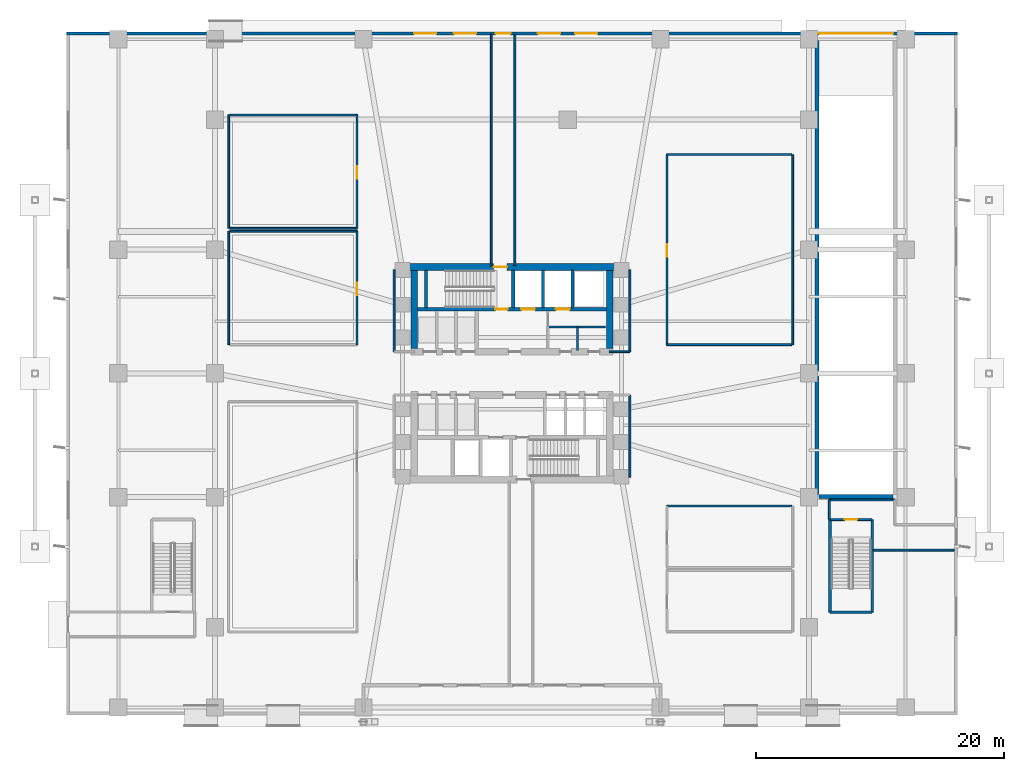
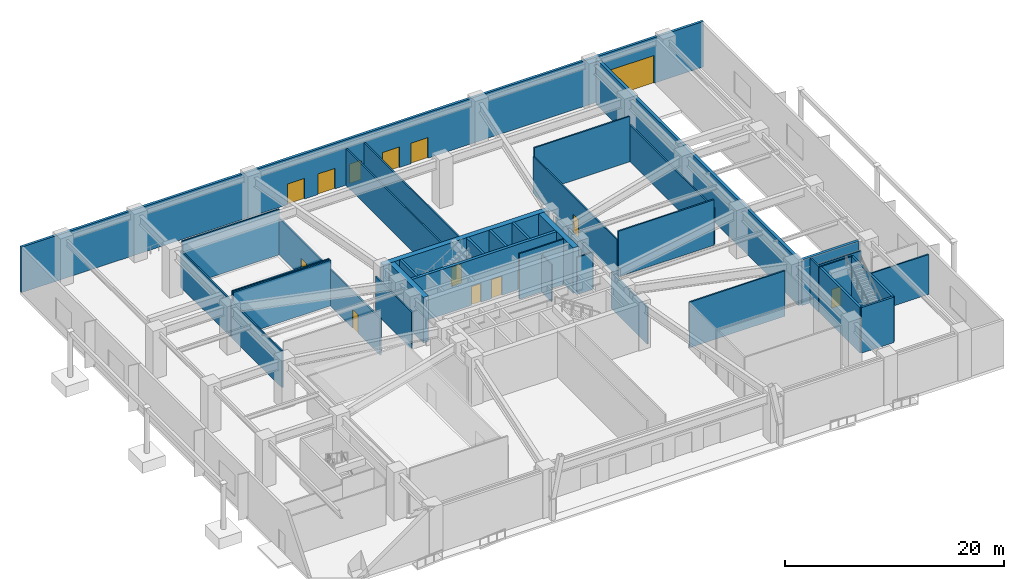
# One storey, part 13 of 20: 38 walls, 14 doors, 14 openings.
"""IFC4 building model written with IfcOpenShell, lengths in metres."""

import ifcopenshell
import ifcopenshell.guid

model = None  # the IFC model being written
_history = None  # IfcOwnerHistory: only IFC2X3 demands one
_inside = {}  # id of a spatial element -> (the spatial element, [elements in it])
_under = {}  # id of a project, library or spatial element -> (it, [spatial elements below it])
_declared = {}  # id of a project -> (the project, [libraries it declares])
_typed = {}  # id of a type object -> (the type object, [elements of that type])
_made_of = {}  # id of a material, layer set ... -> (it, [elements and type objects made of it])


def new_model(schema):
    """Start an empty IFC model of exactly this schema.

    Asked for "IFC4X3", IfcOpenShell would pick the latest addendum, in which some entities
    have other attributes; the version numbers below select the first issue.
    IFC2X3 requires an IfcOwnerHistory on every rooted entity: one is made here for all.
    """
    global model, _history
    if schema == "IFC4X3":
        model = ifcopenshell.file(schema_version=(4, 3, 0, 0))
    else:
        model = ifcopenshell.file(schema=schema)
    _inside.clear()
    _under.clear()
    _declared.clear()
    _typed.clear()
    _made_of.clear()
    _history = None
    if model.schema == "IFC2X3":
        org = make("IfcOrganization", Name="unknown")
        user = make(
            "IfcPersonAndOrganization",
            ThePerson=make("IfcPerson", FamilyName="unknown"),
            TheOrganization=org,
        )
        app = make(
            "IfcApplication",
            ApplicationDeveloper=org,
            Version="unknown",
            ApplicationFullName="unknown",
            ApplicationIdentifier="unknown",
        )
        _history = make(
            "IfcOwnerHistory",
            OwningUser=user,
            OwningApplication=app,
            ChangeAction="ADDED",
            CreationDate=0,
        )
    return model


def make(cls, **values):
    """One entity of the class cls with the attributes given. An attribute that is None is left unset."""
    return model.create_entity(
        cls, **{name: value for name, value in values.items() if value is not None}
    )


def rooted(cls, **values):
    """An entity with a GlobalId (a new one), such as an element, a storey or a relation."""
    return make(cls, GlobalId=ifcopenshell.guid.new(), OwnerHistory=_history, **values)


def si_unit(unit_type, name, prefix=None):
    """IfcSIUnit, for example si_unit("LENGTHUNIT", "METRE", prefix="MILLI")."""
    return make("IfcSIUnit", UnitType=unit_type, Prefix=prefix, Name=name)


def assignment(units):
    """IfcUnitAssignment: the units of a project."""
    return None if units is None else make("IfcUnitAssignment", Units=units)


def point(xyz):
    """IfcCartesianPoint."""
    return None if xyz is None else make("IfcCartesianPoint", Coordinates=xyz)


def direction(xyz):
    """IfcDirection."""
    return None if xyz is None else make("IfcDirection", DirectionRatios=xyz)


def frame(location, z_axis=None, x_axis=None):
    """IfcAxis2Placement3D, a coordinate frame: its origin and axes. An axis left out is left unset."""
    return make(
        "IfcAxis2Placement3D",
        Location=point(location),
        Axis=direction(z_axis),
        RefDirection=direction(x_axis),
    )


def frame_2d(location, x_axis=None):
    """IfcAxis2Placement2D, a coordinate frame in the plane: its origin and x axis."""
    return make(
        "IfcAxis2Placement2D", Location=point(location), RefDirection=direction(x_axis)
    )


def origin():
    """The frame at (0, 0, 0) with its axes left unset."""
    return frame((0.0, 0.0, 0.0))


def place(relative_to, where):
    """IfcLocalPlacement: puts the frame where relative to a parent placement (None: the world)."""
    return make(
        "IfcLocalPlacement", PlacementRelTo=relative_to, RelativePlacement=where
    )


def context(
    kind, dimensions, precision=None, world=None, true_north=None, identifier=None
):
    """IfcGeometricRepresentationContext, for example the 3D "Model" context."""
    return make(
        "IfcGeometricRepresentationContext",
        ContextIdentifier=identifier,
        ContextType=kind,
        CoordinateSpaceDimension=dimensions,
        Precision=precision,
        WorldCoordinateSystem=world,
        TrueNorth=true_north,
    )


def subcontext(parent, identifier, kind, view, scale=None):
    """IfcGeometricRepresentationSubContext, for example "Body" below "Model"."""
    return make(
        "IfcGeometricRepresentationSubContext",
        ContextIdentifier=identifier,
        ContextType=kind,
        ParentContext=parent,
        TargetScale=scale,
        TargetView=view,
    )


def project(units=None, contexts=None):
    """IfcProject with its units and contexts."""
    return rooted(
        "IfcProject",
        Name="project",
        RepresentationContexts=contexts,
        UnitsInContext=assignment(units),
    )


def spatial(cls, under=None, at=None, **own):
    """A site, building, storey or space (cls), placed at a placement, below another one or the project."""
    s = rooted(cls, ObjectPlacement=at, **own)
    if under is not None:
        _under.setdefault(under.id(), (under, []))[1].append(s)
    return s


def profile(cls, at=None, kind="AREA", **sizes):
    """A parametric profile (cls). Its sizes go by their IFC names, for example OverallWidth=200.0."""
    return make(cls, ProfileType=kind, Position=at, **sizes)


def rectangle(**sizes):
    """IfcRectangleProfileDef."""
    return profile("IfcRectangleProfileDef", **sizes)


def extrude(swept, where, along, depth):
    """IfcExtrudedAreaSolid: the profile swept, set in the frame where, extruded along a direction by depth."""
    return make(
        "IfcExtrudedAreaSolid",
        SweptArea=swept,
        Position=where,
        ExtrudedDirection=direction(along),
        Depth=depth,
    )


def shape(context_of_items, identifier, shape_type, items):
    """IfcShapeRepresentation: the items that make up one representation, for example the "Body"."""
    return make(
        "IfcShapeRepresentation",
        ContextOfItems=context_of_items,
        RepresentationIdentifier=identifier,
        RepresentationType=shape_type,
        Items=items,
    )


def material(Name=None, Category=None):
    """IfcMaterial."""
    return make("IfcMaterial", Name=Name, Category=Category)


def layer(
    of_material, thickness, ventilated=None, Name=None, Category=None, Priority=None
):
    """IfcMaterialLayer: one layer of a wall or slab, of a material (None: an air gap)."""
    return make(
        "IfcMaterialLayer",
        Material=of_material,
        LayerThickness=thickness,
        IsVentilated=ventilated,
        Name=Name,
        Category=Category,
        Priority=Priority,
    )


def layer_set(layers, Name=None):
    """IfcMaterialLayerSet."""
    return make("IfcMaterialLayerSet", MaterialLayers=layers, LayerSetName=Name)


def made_of(thing, what):
    """Note that an element or type object is made of a material, layer set ...; save() writes the relation."""
    if what is not None:
        _made_of.setdefault(what.id(), (what, []))[1].append(thing)
    return thing


def type_object(cls, material=None, **own):
    """A type object (cls), such as IfcWallType, which elements share."""
    return made_of(rooted(cls, **own), material)


def element(
    cls,
    number,
    at=None,
    inside=None,
    cuts=None,
    type_object=None,
    material=None,
    context=None,
    identifier="Body",
    shape_type=None,
    held_by="IfcProductDefinitionShape",
    body=None,
    shapes=None,
    **own,
):
    """One element of the class cls, such as IfcWall. Its Tag is "e" and its number.

    at: its placement. inside: the storey or other place that contains it. cuts: it is an
    opening in that element (IfcRelVoidsElement). A single representation is given by context,
    identifier, shape_type and body (its items); several are given by shapes. held_by: the class
    of the entity that holds the representations. save() writes the other relations.
    """
    e = rooted(cls, Tag="e%d" % number, ObjectPlacement=at, **own)
    if body is not None:
        shapes = [shape(context, identifier, shape_type, body)]
    if shapes is not None:
        e.Representation = make(held_by, Representations=shapes)
    if inside is not None:
        _inside.setdefault(inside.id(), (inside, []))[1].append(e)
    if cuts is not None:
        rooted(
            "IfcRelVoidsElement", RelatingBuildingElement=cuts, RelatedOpeningElement=e
        )
    if type_object is not None:
        _typed.setdefault(type_object.id(), (type_object, []))[1].append(e)
    return made_of(e, material)


def fill(opening, filler):
    """IfcRelFillsElement: the door or window that sits in an opening."""
    return rooted(
        "IfcRelFillsElement",
        RelatingOpeningElement=opening,
        RelatedBuildingElement=filler,
    )


def aggregate(whole, parts):
    """IfcRelAggregates: a whole, such as a stair, and the parts it consists of."""
    return rooted("IfcRelAggregates", RelatingObject=whole, RelatedObjects=parts)


def save(model, path):
    """Write the relations noted so far, then the file.

    IfcRelAggregates (storeys below a building ...), IfcRelContainedInSpatialStructure (elements
    in a storey), IfcRelDefinesByType, IfcRelAssociatesMaterial and IfcRelDeclares: one each for
    every whole, place, type object, material and project.
    """
    for whole, parts in _under.values():
        aggregate(whole, parts)
    for where, things in _inside.values():
        rooted(
            "IfcRelContainedInSpatialStructure",
            RelatedElements=things,
            RelatingStructure=where,
        )
    for kind, things in _typed.values():
        rooted("IfcRelDefinesByType", RelatedObjects=things, RelatingType=kind)
    for what, things in _made_of.values():
        rooted("IfcRelAssociatesMaterial", RelatedObjects=things, RelatingMaterial=what)
    for by, libraries in _declared.values():
        rooted("IfcRelDeclares", RelatingContext=by, RelatedDefinitions=libraries)
    model.write(path)


model = new_model("IFC4")

# Units and contexts
model_context = context("Model", 3, precision=1e-05, world=origin(), true_north=direction((0.0, 1.0)))
body_context = subcontext(model_context, "Body", "Model", "MODEL_VIEW")
ifc_project = project(units=[si_unit("LENGTHUNIT", "METRE"), si_unit("AREAUNIT", "SQUARE_METRE"), si_unit("VOLUMEUNIT", "CUBIC_METRE"), si_unit("PLANEANGLEUNIT", "RADIAN"), si_unit("MASSUNIT", "GRAM", prefix="KILO")], contexts=[model_context])

# Site, building, storey
site_placement = place(None, origin())
site = spatial("IfcSite", under=ifc_project, at=site_placement, CompositionType="ELEMENT")
building_placement = place(site_placement, origin())
building = spatial("IfcBuilding", under=site, at=building_placement, Name="Solmarez Civic Tower", CompositionType="ELEMENT")
storey_placement = place(building_placement, origin())
storey = spatial("IfcBuildingStorey", under=building, at=storey_placement, Name="L00", CompositionType="ELEMENT", Elevation=0.0)

# Wall, opening, door
ifc_material_1 = material(Name="Concrete C60/75", Category="concrete")
ifc_layer_1 = layer(ifc_material_1, 0.550048828125)
ifc_layer_set_1 = layer_set([ifc_layer_1], Name="Concrete C60/75")
wall_type_1 = type_object("IfcWallType", Name="WALL-CORE-550", PredefinedType="SHEAR", material=ifc_layer_set_1)
wall_1_placement = place(storey_placement, frame((-8.780029296875, 8.5849609375, 0.0), z_axis=(0.0, 0.0, 1.0), x_axis=(1.0, 0.0, 0.0)))
wall_1 = element("IfcWall", 1, at=wall_1_placement, inside=storey, type_object=wall_type_1, Name="L00 Split-Core Structural Wall NCW-N-L00", PredefinedType="SHEAR", context=body_context, shape_type="SweptSolid", body=[
    extrude(rectangle(XDim=17.56005859375, YDim=0.550048828125, at=frame_2d((8.780029296875, 0.0))), origin(), (0.0, 0.0, 1.0), 5.080078125),
])
opening_1_placement = place(wall_1_placement, frame((7.2900390625, 0.0, 0.0)))
opening_1 = element("IfcOpeningElement", 2, at=opening_1_placement, cuts=wall_1, Name="Opening D-07", PredefinedType="OPENING", context=body_context, shape_type="SweptSolid", body=[
    extrude(rectangle(XDim=1.10009765625, YDim=2.14990234375, at=frame_2d((0.550048828125, 1.074951171875))), frame((0.0, 0.284912109375, 0.0), z_axis=(0.0, -1.0, 0.0), x_axis=(1.0, 0.0, 0.0)), (0.0, 0.0, 1.0), 0.570068359375),
])
ifc_material_2 = material(Name="Heavy-Duty Fire Exit Door", Category="wood")
door_type_1 = type_object("IfcDoorType", Name="DOOR-FD90-1100", OperationType="NOTDEFINED", PredefinedType="DOOR", material=ifc_material_2)
door_1_placement = place(opening_1_placement, origin())
door_1 = element("IfcDoor", 3, at=door_1_placement, inside=storey, type_object=door_type_1, Name="L00 North Stair Exit Discharge Door", OperationType="SINGLE_SWING_RIGHT", OverallHeight=2.14990234375, OverallWidth=1.10009765625, PredefinedType="DOOR", context=body_context, shape_type="SweptSolid", body=[
    extrude(rectangle(XDim=1.10009765625, YDim=2.14990234375, at=frame_2d((0.550048828125, 1.074951171875))), frame((0.0, 0.02490234375, 0.0), z_axis=(0.0, -1.0, 0.0), x_axis=(1.0, 0.0, 0.0)), (0.0, 0.0, 1.0), 0.050048828125),
])
fill(opening_1, door_1)

# Walls
for number, where, z_axis, x_axis, name in (
    (4, (-7.89501953125, 2.02490234375, 0.0), (0.0, 0.0, 1.0), (0.0, 1.0, 0.0), "L00 Split-Core Structural Wall NCW-W-L00"),
    (5, (7.89501953125, 8.31005859375, 0.0), (0.0, 0.0, 1.0), (0.0, -1.0, 0.0), "L00 Split-Core Structural Wall NCW-E-L00"),
):
    element("IfcWall", number, at=place(storey_placement, frame(where, z_axis=z_axis, x_axis=x_axis)), inside=storey, type_object=wall_type_1, Name=name, PredefinedType="SHEAR", context=body_context, shape_type="SweptSolid", body=[
        extrude(rectangle(XDim=6.28515625, YDim=0.550048828125, at=frame_2d((3.142578125, 0.0))), origin(), (0.0, 0.0, 1.0), 5.080078125),
    ])

# Wall, openings, doors
ifc_material_3 = material(Name="Precast concrete C40/50", Category="concrete")
ifc_layer_2 = layer(ifc_material_3, 0.260009765625)
ifc_layer_set_2 = layer_set([ifc_layer_2], Name="Precast concrete C40/50")
wall_type_2 = type_object("IfcWallType", Name="WALL-EXT-260", PredefinedType="SOLIDWALL", material=ifc_layer_set_2)
wall_2_placement = place(storey_placement, frame((-36.0, 27.469970703125, 0.0), z_axis=(0.0, 0.0, 1.0), x_axis=(1.0, 0.0, 0.0)))
wall_2 = element("IfcWall", 6, at=wall_2_placement, inside=storey, type_object=wall_type_2, Name="L00 North Exterior Precast Wall", PredefinedType="SOLIDWALL", context=body_context, shape_type="SweptSolid", body=[
    extrude(rectangle(XDim=72.0, YDim=0.260009765625, at=frame_2d((36.0, 0.0))), origin(), (0.0, 0.0, 1.0), 5.080078125),
])
opening_2_placement = place(wall_2_placement, frame((34.679931640625, 0.0, 0.0)))
opening_2 = element("IfcOpeningElement", 7, at=opening_2_placement, cuts=wall_2, Name="Opening D-03", PredefinedType="OPENING", context=body_context, shape_type="SweptSolid", body=[
    extrude(rectangle(XDim=1.199951171875, YDim=2.14990234375, at=frame_2d((0.60009765625, 1.074951171875))), frame((0.0, 0.139892578125, 0.0), z_axis=(0.0, -1.0, 0.0), x_axis=(1.0, 0.0, 0.0)), (0.0, 0.0, 1.0), 0.280029296875),
])
opening_3_placement = place(wall_2_placement, frame((28.10009765625, 0.0, 0.0)))
opening_3 = element("IfcOpeningElement", 8, at=opening_3_placement, cuts=wall_2, Name="Opening D-01", PredefinedType="OPENING", context=body_context, shape_type="SweptSolid", body=[
    extrude(rectangle(XDim=1.800048828125, YDim=2.300048828125, at=frame_2d((0.89990234375, 1.14990234375))), frame((0.0, 0.139892578125, 0.0), z_axis=(0.0, -1.0, 0.0), x_axis=(1.0, 0.0, 0.0)), (0.0, 0.0, 1.0), 0.280029296875),
])
opening_4_placement = place(wall_2_placement, frame((31.300048828125, 0.0, 0.0)))
opening_4 = element("IfcOpeningElement", 9, at=opening_4_placement, cuts=wall_2, Name="Opening D-01", PredefinedType="OPENING", context=body_context, shape_type="SweptSolid", body=[
    extrude(rectangle(XDim=1.800048828125, YDim=2.300048828125, at=frame_2d((0.89990234375, 1.14990234375))), frame((0.0, 0.139892578125, 0.0), z_axis=(0.0, -1.0, 0.0), x_axis=(1.0, 0.0, 0.0)), (0.0, 0.0, 1.0), 0.280029296875),
])
opening_5_placement = place(wall_2_placement, frame((38.10009765625, 0.0, 0.0)))
opening_5 = element("IfcOpeningElement", 10, at=opening_5_placement, cuts=wall_2, Name="Opening D-01", PredefinedType="OPENING", context=body_context, shape_type="SweptSolid", body=[
    extrude(rectangle(XDim=1.800048828125, YDim=2.300048828125, at=frame_2d((0.89990234375, 1.14990234375))), frame((0.0, 0.139892578125, 0.0), z_axis=(0.0, -1.0, 0.0), x_axis=(1.0, 0.0, 0.0)), (0.0, 0.0, 1.0), 0.280029296875),
])
opening_6_placement = place(wall_2_placement, frame((41.10009765625, 0.0, 0.0)))
opening_6 = element("IfcOpeningElement", 11, at=opening_6_placement, cuts=wall_2, Name="Opening D-01", PredefinedType="OPENING", context=body_context, shape_type="SweptSolid", body=[
    extrude(rectangle(XDim=1.800048828125, YDim=2.300048828125, at=frame_2d((0.89990234375, 1.14990234375))), frame((0.0, 0.139892578125, 0.0), z_axis=(0.0, -1.0, 0.0), x_axis=(1.0, 0.0, 0.0)), (0.0, 0.0, 1.0), 0.280029296875),
])
opening_7_placement = place(wall_2_placement, frame((60.800048828125, 0.0, 0.0)))
opening_7 = element("IfcOpeningElement", 12, at=opening_7_placement, cuts=wall_2, Name="Opening VG-01", PredefinedType="OPENING", context=body_context, shape_type="SweptSolid", body=[
    extrude(rectangle(XDim=6.0, YDim=3.10009765625, at=frame_2d((3.0, 1.550048828125))), frame((0.0, 0.139892578125, 0.0), z_axis=(0.0, -1.0, 0.0), x_axis=(1.0, 0.0, 0.0)), (0.0, 0.0, 1.0), 0.280029296875),
])
ifc_material_4 = material(Name="Stainless Steel Fire Exit Door", Category="steel")
door_type_2 = type_object("IfcDoorType", Name="DOOR-EXIT-1200", OperationType="NOTDEFINED", PredefinedType="DOOR", material=ifc_material_4)
door_2_placement = place(opening_2_placement, origin())
door_2 = element("IfcDoor", 13, at=door_2_placement, inside=storey, type_object=door_type_2, Name="L00 North Stair Final Exit Door", OperationType="SINGLE_SWING_LEFT", OverallHeight=2.14990234375, OverallWidth=1.199951171875, PredefinedType="DOOR", context=body_context, shape_type="SweptSolid", body=[
    extrude(rectangle(XDim=1.199951171875, YDim=2.14990234375, at=frame_2d((0.60009765625, 1.074951171875))), frame((0.0, 0.02490234375, 0.0), z_axis=(0.0, -1.0, 0.0), x_axis=(1.0, 0.0, 0.0)), (0.0, 0.0, 1.0), 0.050048828125),
])
fill(opening_2, door_2)
ifc_material_5 = material(Name="Bronze Anodised Aluminium Glazed Entrance Door", Category="aluminium")
door_type_3 = type_object("IfcDoorType", Name="DOOR-EXT-1800", OperationType="NOTDEFINED", PredefinedType="DOOR", material=ifc_material_5)
door_3_placement = place(opening_3_placement, origin())
door_3 = element("IfcDoor", 14, at=door_3_placement, inside=storey, type_object=door_type_3, Name="L00 North Plaza Entrance Door West", OperationType="SINGLE_SWING_LEFT", OverallHeight=2.300048828125, OverallWidth=1.800048828125, PredefinedType="DOOR", context=body_context, shape_type="SweptSolid", body=[
    extrude(rectangle(XDim=1.800048828125, YDim=2.300048828125, at=frame_2d((0.89990234375, 1.14990234375))), frame((0.0, 0.02490234375, 0.0), z_axis=(0.0, -1.0, 0.0), x_axis=(1.0, 0.0, 0.0)), (0.0, 0.0, 1.0), 0.050048828125),
])
fill(opening_3, door_3)
door_4_placement = place(opening_4_placement, origin())
door_4 = element("IfcDoor", 15, at=door_4_placement, inside=storey, type_object=door_type_3, Name="L00 North Plaza Central West Exit Door", OperationType="SINGLE_SWING_LEFT", OverallHeight=2.300048828125, OverallWidth=1.800048828125, PredefinedType="DOOR", context=body_context, shape_type="SweptSolid", body=[
    extrude(rectangle(XDim=1.800048828125, YDim=2.300048828125, at=frame_2d((0.89990234375, 1.14990234375))), frame((0.0, 0.02490234375, 0.0), z_axis=(0.0, -1.0, 0.0), x_axis=(1.0, 0.0, 0.0)), (0.0, 0.0, 1.0), 0.050048828125),
])
fill(opening_4, door_4)
door_5_placement = place(opening_5_placement, origin())
door_5 = element("IfcDoor", 16, at=door_5_placement, inside=storey, type_object=door_type_3, Name="L00 North Plaza Central East Exit Door", OperationType="SINGLE_SWING_RIGHT", OverallHeight=2.300048828125, OverallWidth=1.800048828125, PredefinedType="DOOR", context=body_context, shape_type="SweptSolid", body=[
    extrude(rectangle(XDim=1.800048828125, YDim=2.300048828125, at=frame_2d((0.89990234375, 1.14990234375))), frame((0.0, 0.02490234375, 0.0), z_axis=(0.0, -1.0, 0.0), x_axis=(1.0, 0.0, 0.0)), (0.0, 0.0, 1.0), 0.050048828125),
])
fill(opening_5, door_5)
door_6_placement = place(opening_6_placement, origin())
door_6 = element("IfcDoor", 17, at=door_6_placement, inside=storey, type_object=door_type_3, Name="L00 North Plaza Entrance Door East", OperationType="SINGLE_SWING_RIGHT", OverallHeight=2.300048828125, OverallWidth=1.800048828125, PredefinedType="DOOR", context=body_context, shape_type="SweptSolid", body=[
    extrude(rectangle(XDim=1.800048828125, YDim=2.300048828125, at=frame_2d((0.89990234375, 1.14990234375))), frame((0.0, 0.02490234375, 0.0), z_axis=(0.0, -1.0, 0.0), x_axis=(1.0, 0.0, 0.0)), (0.0, 0.0, 1.0), 0.050048828125),
])
fill(opening_6, door_6)
ifc_material_6 = material(Name="Bronze Anodised Aluminium Perforated Roller Shutter", Category="aluminium")
door_type_4 = type_object("IfcDoorType", Name="GATE-VEH-6000", OperationType="ROLLINGUP", PredefinedType="GATE", material=ifc_material_6)
door_7_placement = place(opening_7_placement, origin())
door_7 = element("IfcDoor", 18, at=door_7_placement, inside=storey, type_object=door_type_4, Name="L00 Car Park Vehicle Roller Shutter Gate VG-01", OperationType="ROLLINGUP", OverallHeight=3.10009765625, OverallWidth=6.0, PredefinedType="GATE", context=body_context, shape_type="SweptSolid", body=[
    extrude(rectangle(XDim=6.0, YDim=3.10009765625, at=frame_2d((3.0, 1.550048828125))), frame((0.0, 0.02490234375, 0.0), z_axis=(0.0, -1.0, 0.0), x_axis=(1.0, 0.0, 0.0)), (0.0, 0.0, 1.0), 0.050048828125),
])
fill(opening_7, door_7)

# Wall, opening, door
ifc_material_7 = material(Name="Gypsum Board Acoustic Steel-Stud Partition", Category="steel")
ifc_layer_3 = layer(ifc_material_7, 0.14990234375)
ifc_layer_set_3 = layer_set([ifc_layer_3], Name="Gypsum Board Acoustic Steel-Stud Partition")
wall_type_3 = type_object("IfcWallType", Name="WALL-INT-FIRE-150", PredefinedType="PARTITIONING", material=ifc_layer_set_3)
wall_3_placement = place(storey_placement, frame((29.080078125, -11.820068359375, 0.0), z_axis=(0.0, 0.0, 1.0), x_axis=(-1.0, 0.0, 0.0)))
wall_3 = element("IfcWall", 19, at=wall_3_placement, inside=storey, type_object=wall_type_3, Name="L00 Podium Exit Stair STP2 Wall", PredefinedType="PARTITIONING", context=body_context, shape_type="SweptSolid", body=[
    extrude(rectangle(XDim=3.360107421875, YDim=0.14990234375, at=frame_2d((1.68017578125, 0.0))), origin(), (0.0, 0.0, 1.0), 5.080078125),
])
opening_8_placement = place(wall_3_placement, frame((1.179931640625, 0.0, 0.0)))
opening_8 = element("IfcOpeningElement", 20, at=opening_8_placement, cuts=wall_3, Name="Opening D-05", PredefinedType="OPENING", context=body_context, shape_type="SweptSolid", body=[
    extrude(rectangle(XDim=1.0, YDim=2.10009765625, at=frame_2d((0.5, 1.050048828125))), frame((0.0, 0.0849609375, 0.0), z_axis=(0.0, -1.0, 0.0), x_axis=(1.0, 0.0, 0.0)), (0.0, 0.0, 1.0), 0.169921875),
])
ifc_material_8 = material(Name="Fire-Rated Stairwell Exit Door", Category="wood")
door_type_5 = type_object("IfcDoorType", Name="DOOR-FD90-1000", OperationType="NOTDEFINED", PredefinedType="DOOR", material=ifc_material_8)
door_8_placement = place(opening_8_placement, origin())
door_8 = element("IfcDoor", 21, at=door_8_placement, inside=storey, type_object=door_type_5, Name="L00 Podium Exit Stair STP2 Door", OperationType="SINGLE_SWING_LEFT", OverallHeight=2.10009765625, OverallWidth=1.0, PredefinedType="DOOR", context=body_context, shape_type="SweptSolid", body=[
    extrude(rectangle(XDim=1.0, YDim=2.10009765625, at=frame_2d((0.5, 1.050048828125))), frame((0.0, 0.02490234375, 0.0), z_axis=(0.0, -1.0, 0.0), x_axis=(1.0, 0.0, 0.0)), (0.0, 0.0, 1.0), 0.050048828125),
])
fill(opening_8, door_8)

# Walls
for number, where, z_axis, x_axis, name in (
    (22, (-9.52001953125, 1.75, 0.0), (0.0, 0.0, 1.0), (0.0, 1.0, 0.0), "L00 Interior Partition CHW-L00-WN1"),
    (23, (9.52001953125, 1.75, 0.0), (0.0, 0.0, 1.0), (0.0, 1.0, 0.0), "L00 Interior Partition CHW-L00-EN1"),
):
    element("IfcWall", number, at=place(storey_placement, frame(where, z_axis=z_axis, x_axis=x_axis)), inside=storey, type_object=wall_type_3, Name=name, PredefinedType="PARTITIONING", context=body_context, shape_type="SweptSolid", body=[
        extrude(rectangle(XDim=6.6298828125, YDim=0.14990234375, at=frame_2d((3.31494140625, 0.0))), origin(), (0.0, 0.0, 1.0), 4.090087890625),
    ])
wall_4_placement = place(storey_placement, frame((7.85009765625, 1.75, 0.0), z_axis=(0.0, 0.0, 1.0), x_axis=(1.0, 0.0, 0.0)))
element("IfcWall", 24, at=wall_4_placement, inside=storey, type_object=wall_type_3, Name="L00 Interior Partition CHW-L00-EN3", PredefinedType="PARTITIONING", context=body_context, shape_type="SweptSolid", body=[
    extrude(rectangle(XDim=1.669921875, YDim=0.14990234375, at=frame_2d((0.8349609375, 0.0))), origin(), (0.0, 0.0, 1.0), 4.14501953125),
])
wall_5_placement = place(storey_placement, frame((9.52001953125, -8.3798828125, 0.0), z_axis=(0.0, 0.0, 1.0), x_axis=(0.0, 1.0, 0.0)))
element("IfcWall", 25, at=wall_5_placement, inside=storey, type_object=wall_type_3, Name="L00 Interior Partition CHW-L00-ES1", PredefinedType="PARTITIONING", context=body_context, shape_type="SweptSolid", body=[
    extrude(rectangle(XDim=6.6298828125, YDim=0.14990234375, at=frame_2d((3.31494140625, 0.0))), origin(), (0.0, 0.0, 1.0), 4.090087890625),
])
for number, where, z_axis, x_axis, name in (
    (26, (-1.679931640625, 8.699951171875, 0.0), (0.0, 0.0, 1.0), (0.0, 1.0, 0.0), "L00 Interior Partition EPW-NW-L00"),
    (27, (0.22998046875, 8.699951171875, 0.0), (0.0, 0.0, 1.0), (0.0, 1.0, 0.0), "L00 Interior Partition EPW-NE-L00"),
):
    element("IfcWall", number, at=place(storey_placement, frame(where, z_axis=z_axis, x_axis=x_axis)), inside=storey, type_object=wall_type_3, Name=name, PredefinedType="PARTITIONING", context=body_context, shape_type="SweptSolid", body=[
        extrude(rectangle(XDim=18.699951171875, YDim=0.14990234375, at=frame_2d((9.35009765625, 0.0))), origin(), (0.0, 0.0, 1.0), 4.090087890625),
    ])
wall_6_placement = place(storey_placement, frame((25.639892578125, -11.780029296875, 0.0), z_axis=(0.0, 0.0, 1.0), x_axis=(0.0, 1.0, 0.0)))
element("IfcWall", 28, at=wall_6_placement, inside=storey, type_object=wall_type_3, Name="L00 Interior Partition EPW-EW-L00", PredefinedType="PARTITIONING", context=body_context, shape_type="SweptSolid", body=[
    extrude(rectangle(XDim=1.56005859375, YDim=0.14990234375, at=frame_2d((0.780029296875, 0.0))), origin(), (0.0, 0.0, 1.0), 5.080078125),
])
wall_7_placement = place(storey_placement, frame((25.639892578125, -10.219970703125, 0.0), z_axis=(0.0, 0.0, 1.0), x_axis=(1.0, 0.0, 0.0)))
element("IfcWall", 29, at=wall_7_placement, inside=storey, type_object=wall_type_3, Name="L00 Interior Partition EPW-EN1-L00", PredefinedType="PARTITIONING", context=body_context, shape_type="SweptSolid", body=[
    extrude(rectangle(XDim=5.2900390625, YDim=0.14990234375, at=frame_2d((2.64501953125, 0.0))), origin(), (0.0, 0.0, 1.0), 4.090087890625),
])
wall_8_placement = place(storey_placement, frame((29.199951171875, -14.280029296875, 0.0), z_axis=(0.0, 0.0, 1.0), x_axis=(1.0, 0.0, 0.0)))
element("IfcWall", 30, at=wall_8_placement, inside=storey, type_object=wall_type_3, Name="L00 Interior Partition EPW-ES2-L00", PredefinedType="PARTITIONING", context=body_context, shape_type="SweptSolid", body=[
    extrude(rectangle(XDim=6.52001953125, YDim=0.14990234375, at=frame_2d((3.260009765625, 0.0))), origin(), (0.0, 0.0, 1.0), 4.4599609375),
])
wall_9_placement = place(storey_placement, frame((12.52001953125, -10.719970703125, 0.0), z_axis=(0.0, 0.0, 1.0), x_axis=(1.0, 0.0, 0.0)))
element("IfcWall", 31, at=wall_9_placement, inside=storey, type_object=wall_type_3, Name="L00 Interior Partition PT-L00-PWC-N", PredefinedType="PARTITIONING", context=body_context, shape_type="SweptSolid", body=[
    extrude(rectangle(XDim=10.080078125, YDim=0.14990234375, at=frame_2d((5.0400390625, 0.0))), origin(), (0.0, 0.0, 1.0), 5.080078125),
])

# Wall, opening, door
wall_10_placement = place(storey_placement, frame((-12.52001953125, 11.47998046875, 0.0), z_axis=(0.0, 0.0, 1.0), x_axis=(0.0, -1.0, 0.0)))
wall_10 = element("IfcWall", 32, at=wall_10_placement, inside=storey, type_object=wall_type_3, Name="L00 Interior Partition PT-L00-REG1-F", PredefinedType="PARTITIONING", context=body_context, shape_type="SweptSolid", body=[
    extrude(rectangle(XDim=9.159912109375, YDim=0.14990234375, at=frame_2d((4.580078125, 0.0))), origin(), (0.0, 0.0, 1.0), 4.090087890625),
])
opening_9_placement = place(wall_10_placement, frame((4.159912109375, 0.0, 0.0)))
opening_9 = element("IfcOpeningElement", 33, at=opening_9_placement, cuts=wall_10, Name="Opening D-04", PredefinedType="OPENING", context=body_context, shape_type="SweptSolid", body=[
    extrude(rectangle(XDim=1.0, YDim=2.10009765625, at=frame_2d((0.5, 1.050048828125))), frame((0.0, 0.0849609375, 0.0), z_axis=(0.0, -1.0, 0.0), x_axis=(1.0, 0.0, 0.0)), (0.0, 0.0, 1.0), 0.169921875),
])
ifc_material_9 = material(Name="Steel-Faced Acoustic Fire Door", Category="steel")
door_type_6 = type_object("IfcDoorType", Name="DOOR-FD60-1000", OperationType="NOTDEFINED", PredefinedType="DOOR", material=ifc_material_9)
door_9_placement = place(opening_9_placement, origin())
door_9 = element("IfcDoor", 34, at=door_9_placement, inside=storey, type_object=door_type_6, Name="L00 Civic Security and Visitor Reception Office Door", OperationType="SINGLE_SWING_RIGHT", OverallHeight=2.10009765625, OverallWidth=1.0, PredefinedType="DOOR", context=body_context, shape_type="SweptSolid", body=[
    extrude(rectangle(XDim=1.0, YDim=2.10009765625, at=frame_2d((0.5, 1.050048828125))), frame((0.0, 0.02490234375, 0.0), z_axis=(0.0, -1.0, 0.0), x_axis=(1.0, 0.0, 0.0)), (0.0, 0.0, 1.0), 0.050048828125),
])
fill(opening_9, door_9)

# Walls
wall_11_placement = place(storey_placement, frame((-22.800048828125, 11.47998046875, 0.0), z_axis=(0.0, 0.0, 1.0), x_axis=(1.0, 0.0, 0.0)))
element("IfcWall", 35, at=wall_11_placement, inside=storey, type_object=wall_type_3, Name="L00 Interior Partition PT-L00-REG1-N", PredefinedType="PARTITIONING", context=body_context, shape_type="SweptSolid", body=[
    extrude(rectangle(XDim=10.280029296875, YDim=0.14990234375, at=frame_2d((5.14013671875, 0.0))), origin(), (0.0, 0.0, 1.0), 5.080078125),
])
wall_12_placement = place(storey_placement, frame((-22.8798828125, 2.320068359375, 0.0), z_axis=(0.0, 0.0, 1.0), x_axis=(0.0, 1.0, 0.0)))
element("IfcWall", 36, at=wall_12_placement, inside=storey, type_object=wall_type_3, Name="L00 Interior Partition PT-L00-REG1-B", PredefinedType="PARTITIONING", context=body_context, shape_type="SweptSolid", body=[
    extrude(rectangle(XDim=9.159912109375, YDim=0.14990234375, at=frame_2d((4.580078125, 0.0))), origin(), (0.0, 0.0, 1.0), 4.090087890625),
])

# Wall, opening, door
wall_13_placement = place(storey_placement, frame((-12.52001953125, 20.8798828125, 0.0), z_axis=(0.0, 0.0, 1.0), x_axis=(0.0, -1.0, 0.0)))
wall_13 = element("IfcWall", 37, at=wall_13_placement, inside=storey, type_object=wall_type_3, Name="L00 Interior Partition PT-L00-REG2-F", PredefinedType="PARTITIONING", context=body_context, shape_type="SweptSolid", body=[
    extrude(rectangle(XDim=9.159912109375, YDim=0.14990234375, at=frame_2d((4.580078125, 0.0))), origin(), (0.0, 0.0, 1.0), 4.090087890625),
])
opening_10_placement = place(wall_13_placement, frame((4.159912109375, 0.0, 0.0)))
opening_10 = element("IfcOpeningElement", 38, at=opening_10_placement, cuts=wall_13, Name="Opening D-04", PredefinedType="OPENING", context=body_context, shape_type="SweptSolid", body=[
    extrude(rectangle(XDim=1.0, YDim=2.10009765625, at=frame_2d((0.5, 1.050048828125))), frame((0.0, 0.0849609375, 0.0), z_axis=(0.0, -1.0, 0.0), x_axis=(1.0, 0.0, 0.0)), (0.0, 0.0, 1.0), 0.169921875),
])
door_10_placement = place(opening_10_placement, origin())
door_10 = element("IfcDoor", 39, at=door_10_placement, inside=storey, type_object=door_type_6, Name="L00 Municipal Mailroom Door", OperationType="SINGLE_SWING_RIGHT", OverallHeight=2.10009765625, OverallWidth=1.0, PredefinedType="DOOR", context=body_context, shape_type="SweptSolid", body=[
    extrude(rectangle(XDim=1.0, YDim=2.10009765625, at=frame_2d((0.5, 1.050048828125))), frame((0.0, 0.02490234375, 0.0), z_axis=(0.0, -1.0, 0.0), x_axis=(1.0, 0.0, 0.0)), (0.0, 0.0, 1.0), 0.050048828125),
])
fill(opening_10, door_10)

# Walls
for number, where, z_axis, x_axis, name in (
    (40, (-22.800048828125, 11.719970703125, 0.0), (0.0, 0.0, 1.0), (1.0, 0.0, 0.0), "L00 Interior Partition PT-L00-REG2-S"),
    (41, (-22.800048828125, 20.8798828125, 0.0), (0.0, 0.0, 1.0), (1.0, 0.0, 0.0), "L00 Interior Partition PT-L00-REG2-N"),
):
    element("IfcWall", number, at=place(storey_placement, frame(where, z_axis=z_axis, x_axis=x_axis)), inside=storey, type_object=wall_type_3, Name=name, PredefinedType="PARTITIONING", context=body_context, shape_type="SweptSolid", body=[
        extrude(rectangle(XDim=10.280029296875, YDim=0.14990234375, at=frame_2d((5.14013671875, 0.0))), origin(), (0.0, 0.0, 1.0), 5.080078125),
    ])
wall_14_placement = place(storey_placement, frame((-22.8798828125, 11.719970703125, 0.0), z_axis=(0.0, 0.0, 1.0), x_axis=(0.0, 1.0, 0.0)))
element("IfcWall", 42, at=wall_14_placement, inside=storey, type_object=wall_type_3, Name="L00 Interior Partition PT-L00-REG2-B", PredefinedType="PARTITIONING", context=body_context, shape_type="SweptSolid", body=[
    extrude(rectangle(XDim=9.159912109375, YDim=0.14990234375, at=frame_2d((4.580078125, 0.0))), origin(), (0.0, 0.0, 1.0), 4.090087890625),
])

# Wall, opening, door
wall_15_placement = place(storey_placement, frame((12.52001953125, 2.320068359375, 0.0), z_axis=(0.0, 0.0, 1.0), x_axis=(0.0, 1.0, 0.0)))
wall_15 = element("IfcWall", 43, at=wall_15_placement, inside=storey, type_object=wall_type_3, Name="L00 Interior Partition PT-L00-LOAD-F", PredefinedType="PARTITIONING", context=body_context, shape_type="SweptSolid", body=[
    extrude(rectangle(XDim=15.35986328125, YDim=0.14990234375, at=frame_2d((7.679931640625, 0.0))), origin(), (0.0, 0.0, 1.0), 4.090087890625),
])
opening_11_placement = place(wall_15_placement, frame((7.10009765625, 0.0, 0.0)))
opening_11 = element("IfcOpeningElement", 44, at=opening_11_placement, cuts=wall_15, Name="Opening D-04", PredefinedType="OPENING", context=body_context, shape_type="SweptSolid", body=[
    extrude(rectangle(XDim=1.0, YDim=2.10009765625, at=frame_2d((0.5, 1.050048828125))), frame((0.0, 0.0849609375, 0.0), z_axis=(0.0, -1.0, 0.0), x_axis=(1.0, 0.0, 0.0)), (0.0, 0.0, 1.0), 0.169921875),
])
door_11_placement = place(opening_11_placement, origin())
door_11 = element("IfcDoor", 45, at=door_11_placement, inside=storey, type_object=door_type_6, Name="L00 Civic Servicing and Loading Dock Door", OperationType="SINGLE_SWING_LEFT", OverallHeight=2.10009765625, OverallWidth=1.0, PredefinedType="DOOR", context=body_context, shape_type="SweptSolid", body=[
    extrude(rectangle(XDim=1.0, YDim=2.10009765625, at=frame_2d((0.5, 1.050048828125))), frame((0.0, 0.02490234375, 0.0), z_axis=(0.0, -1.0, 0.0), x_axis=(1.0, 0.0, 0.0)), (0.0, 0.0, 1.0), 0.050048828125),
])
fill(opening_11, door_11)

# Walls
for number, where, z_axis, x_axis, name in (
    (46, (12.52001953125, 2.320068359375, 0.0), (0.0, 0.0, 1.0), (1.0, 0.0, 0.0), "L00 Interior Partition PT-L00-LOAD-S"),
    (47, (12.52001953125, 17.679931640625, 0.0), (0.0, 0.0, 1.0), (1.0, 0.0, 0.0), "L00 Interior Partition PT-L00-LOAD-N"),
):
    element("IfcWall", number, at=place(storey_placement, frame(where, z_axis=z_axis, x_axis=x_axis)), inside=storey, type_object=wall_type_3, Name=name, PredefinedType="PARTITIONING", context=body_context, shape_type="SweptSolid", body=[
        extrude(rectangle(XDim=10.080078125, YDim=0.14990234375, at=frame_2d((5.0400390625, 0.0))), origin(), (0.0, 0.0, 1.0), 5.080078125),
    ])
wall_16_placement = place(storey_placement, frame((22.679931640625, 2.320068359375, 0.0), z_axis=(0.0, 0.0, 1.0), x_axis=(0.0, 1.0, 0.0)))
element("IfcWall", 48, at=wall_16_placement, inside=storey, type_object=wall_type_3, Name="L00 Interior Partition PT-L00-LOAD-B", PredefinedType="PARTITIONING", context=body_context, shape_type="SweptSolid", body=[
    extrude(rectangle(XDim=15.35986328125, YDim=0.14990234375, at=frame_2d((7.679931640625, 0.0))), origin(), (0.0, 0.0, 1.0), 4.090087890625),
])
ifc_layer_4 = layer(ifc_material_7, 0.137939453125)
ifc_layer_set_4 = layer_set([ifc_layer_4], Name="Gypsum Board Acoustic Steel-Stud Partition")
wall_type_4 = type_object("IfcWallType", Name="WALL-INT-WET-140", PredefinedType="PARTITIONING", material=ifc_layer_set_4)
wall_17_placement = place(storey_placement, frame((2.89990234375, 3.739990234375, 0.0), z_axis=(0.0, 0.0, 1.0), x_axis=(1.0, 0.0, 0.0)))
element("IfcWall", 49, at=wall_17_placement, inside=storey, type_object=wall_type_4, Name="L00 Interior Partition SHW-SVH-L00", PredefinedType="PARTITIONING", context=body_context, shape_type="SweptSolid", body=[
    extrude(rectangle(XDim=4.650146484375, YDim=0.137939453125, at=frame_2d((2.3251953125, 0.0))), origin(), (0.0, 0.0, 1.0), 5.080078125),
])
wall_18_placement = place(storey_placement, frame((5.300048828125, 1.85009765625, 0.0), z_axis=(0.0, 0.0, 1.0), x_axis=(0.0, 1.0, 0.0)))
element("IfcWall", 50, at=wall_18_placement, inside=storey, type_object=wall_type_4, Name="L00 Interior Partition PT-NCSV-L00", PredefinedType="PARTITIONING", context=body_context, shape_type="SweptSolid", body=[
    extrude(rectangle(XDim=1.889892578125, YDim=0.137939453125, at=frame_2d((0.94482421875, 0.0))), origin(), (0.0, 0.0, 1.0), 4.14501953125),
])

# Wall, openings, doors
ifc_material_10 = material(Name="Concrete C50/60", Category="concrete")
ifc_layer_5 = layer(ifc_material_10, 0.300048828125)
ifc_layer_set_5 = layer_set([ifc_layer_5], Name="Concrete C50/60")
wall_type_5 = type_object("IfcWallType", Name="WALL-STR-300", PredefinedType="SOLIDWALL", material=ifc_layer_set_5)
wall_19_placement = place(storey_placement, frame((7.6201171875, 5.179931640625, 0.0), z_axis=(0.0, 0.0, 1.0), x_axis=(-1.0, 0.0, 0.0)))
wall_19 = element("IfcWall", 51, at=wall_19_placement, inside=storey, type_object=wall_type_5, Name="L00 Split-Core Structural Wall NCW-M-L00", PredefinedType="SOLIDWALL", context=body_context, shape_type="SweptSolid", body=[
    extrude(rectangle(XDim=15.240234375, YDim=0.300048828125, at=frame_2d((7.6201171875, 0.0))), origin(), (0.0, 0.0, 1.0), 5.080078125),
])
opening_12_placement = place(wall_19_placement, frame((5.77001953125, 0.0, 0.0)))
opening_12 = element("IfcOpeningElement", 52, at=opening_12_placement, cuts=wall_19, Name="Opening LD-02", PredefinedType="OPENING", context=body_context, shape_type="SweptSolid", body=[
    extrude(rectangle(XDim=1.10009765625, YDim=2.14990234375, at=frame_2d((0.550048828125, 1.074951171875))), frame((0.0, 0.159912109375, 0.0), z_axis=(0.0, -1.0, 0.0), x_axis=(1.0, 0.0, 0.0)), (0.0, 0.0, 1.0), 0.320068359375),
])
opening_13_placement = place(wall_19_placement, frame((2.969970703125, 0.0, 0.0)))
opening_13 = element("IfcOpeningElement", 53, at=opening_13_placement, cuts=wall_19, Name="Opening LD-03", PredefinedType="OPENING", context=body_context, shape_type="SweptSolid", body=[
    extrude(rectangle(XDim=1.10009765625, YDim=2.14990234375, at=frame_2d((0.550048828125, 1.074951171875))), frame((0.0, 0.159912109375, 0.0), z_axis=(0.0, -1.0, 0.0), x_axis=(1.0, 0.0, 0.0)), (0.0, 0.0, 1.0), 0.320068359375),
])
opening_14_placement = place(wall_19_placement, frame((7.969970703125, 0.0, 0.0)))
opening_14 = element("IfcOpeningElement", 54, at=opening_14_placement, cuts=wall_19, Name="Opening D-05", PredefinedType="OPENING", context=body_context, shape_type="SweptSolid", body=[
    extrude(rectangle(XDim=1.0, YDim=2.10009765625, at=frame_2d((0.5, 1.050048828125))), frame((0.0, 0.159912109375, 0.0), z_axis=(0.0, -1.0, 0.0), x_axis=(1.0, 0.0, 0.0)), (0.0, 0.0, 1.0), 0.320068359375),
])
door_12_placement = place(opening_14_placement, origin())
door_12 = element("IfcDoor", 55, at=door_12_placement, inside=storey, type_object=door_type_5, Name="L00 North Exit Stair Door ST-1", OperationType="SINGLE_SWING_LEFT", OverallHeight=2.10009765625, OverallWidth=1.0, PredefinedType="DOOR", context=body_context, shape_type="SweptSolid", body=[
    extrude(rectangle(XDim=1.0, YDim=2.10009765625, at=frame_2d((0.5, 1.050048828125))), frame((0.0, 0.02490234375, 0.0), z_axis=(0.0, -1.0, 0.0), x_axis=(1.0, 0.0, 0.0)), (0.0, 0.0, 1.0), 0.050048828125),
])
fill(opening_14, door_12)
ifc_material_11 = material(Name="Stainless Firefighting Lift Landing Sliding Door", Category="aluminium")
door_type_7 = type_object("IfcDoorType", Name="DOOR-LD-FF-1100", OperationType="DOUBLE_DOOR_SLIDING", PredefinedType="DOOR", material=ifc_material_11)
door_13_placement = place(opening_12_placement, origin())
door_13 = element("IfcDoor", 56, at=door_13_placement, inside=storey, type_object=door_type_7, Name="L00 Firefighting Lift Landing Door FFL-1", OperationType="DOUBLE_DOOR_SLIDING", OverallHeight=2.14990234375, OverallWidth=1.10009765625, PredefinedType="DOOR", context=body_context, shape_type="SweptSolid", body=[
    extrude(rectangle(XDim=1.10009765625, YDim=2.14990234375, at=frame_2d((0.550048828125, 1.074951171875))), frame((0.0, 0.02490234375, 0.0), z_axis=(0.0, -1.0, 0.0), x_axis=(1.0, 0.0, 0.0)), (0.0, 0.0, 1.0), 0.050048828125),
])
fill(opening_12, door_13)
ifc_material_12 = material(Name="Stainless Stretcher Lift Landing Sliding Door", Category="aluminium")
door_type_8 = type_object("IfcDoorType", Name="DOOR-LD-SV-1100", OperationType="DOUBLE_DOOR_SLIDING", PredefinedType="DOOR", material=ifc_material_12)
door_14_placement = place(opening_13_placement, origin())
door_14 = element("IfcDoor", 57, at=door_14_placement, inside=storey, type_object=door_type_8, Name="L00 Service Stretcher Lift Landing Door SVL-1", OperationType="DOUBLE_DOOR_SLIDING", OverallHeight=2.14990234375, OverallWidth=1.10009765625, PredefinedType="DOOR", context=body_context, shape_type="SweptSolid", body=[
    extrude(rectangle(XDim=1.10009765625, YDim=2.14990234375, at=frame_2d((0.550048828125, 1.074951171875))), frame((0.0, 0.02490234375, 0.0), z_axis=(0.0, -1.0, 0.0), x_axis=(1.0, 0.0, 0.0)), (0.0, 0.0, 1.0), 0.050048828125),
])
fill(opening_13, door_14)

# Walls
wall_20_placement = place(storey_placement, frame((-6.949951171875, 5.280029296875, 0.0), z_axis=(0.0, 0.0, 1.0), x_axis=(0.0, 1.0, 0.0)))
element("IfcWall", 58, at=wall_20_placement, inside=storey, type_object=wall_type_5, Name="L00 Split-Core Structural Wall SHW-NW-L00", PredefinedType="SOLIDWALL", context=body_context, shape_type="SweptSolid", body=[
    extrude(rectangle(XDim=3.06005859375, YDim=0.219970703125, at=frame_2d((1.530029296875, 0.0))), origin(), (0.0, 0.0, 1.0), 5.080078125),
])
for number, where, z_axis, x_axis, name in (
    (59, (0.10009765625, 5.300048828125, 0.0), (0.0, 0.0, 1.0), (0.0, 1.0, 0.0), "L00 Split-Core Structural Wall SHW-N1-L00"),
    (60, (2.5, 5.300048828125, 0.0), (0.0, 0.0, 1.0), (0.0, 1.0, 0.0), "L00 Split-Core Structural Wall SHW-N2-L00"),
    (61, (4.89990234375, 5.300048828125, 0.0), (0.0, 0.0, 1.0), (0.0, 1.0, 0.0), "L00 Split-Core Structural Wall SHW-N3-L00"),
):
    element("IfcWall", number, at=place(storey_placement, frame(where, z_axis=z_axis, x_axis=x_axis)), inside=storey, type_object=wall_type_5, Name=name, PredefinedType="SOLIDWALL", context=body_context, shape_type="SweptSolid", body=[
        extrude(rectangle(XDim=3.0400390625, YDim=0.25, at=frame_2d((1.52001953125, 0.0))), origin(), (0.0, 0.0, 1.0), 5.080078125),
    ])
for number, where, z_axis, x_axis, name in (
    (62, (25.699951171875, -19.300048828125, 0.0), (0.0, 0.0, 1.0), (0.0, 1.0, 0.0), "L00 Podium Stair Structural Wall STP2-W"),
    (63, (29.10009765625, -19.300048828125, 0.0), (0.0, 0.0, 1.0), (0.0, 1.0, 0.0), "L00 Podium Stair Structural Wall STP2-E"),
):
    element("IfcWall", number, at=place(storey_placement, frame(where, z_axis=z_axis, x_axis=x_axis)), inside=storey, type_object=wall_type_5, Name=name, PredefinedType="SOLIDWALL", context=body_context, shape_type="SweptSolid", body=[
        extrude(rectangle(XDim=7.5, YDim=0.219970703125, at=frame_2d((3.75, 0.0))), origin(), (0.0, 0.0, 1.0), 5.080078125),
    ])
wall_21_placement = place(storey_placement, frame((25.699951171875, -19.300048828125, 0.0), z_axis=(0.0, 0.0, 1.0), x_axis=(1.0, 0.0, 0.0)))
element("IfcWall", 64, at=wall_21_placement, inside=storey, type_object=wall_type_5, Name="L00 Podium Stair Structural Wall STP2-S", PredefinedType="SOLIDWALL", context=body_context, shape_type="SweptSolid", body=[
    extrude(rectangle(XDim=3.400146484375, YDim=0.219970703125, at=frame_2d((1.7001953125, 0.0))), origin(), (0.0, 0.0, 1.0), 5.080078125),
])
wall_22_placement = place(storey_placement, frame((24.64990234375, -9.949951171875, 0.0), z_axis=(0.0, 0.0, 1.0), x_axis=(0.0, 1.0, 0.0)))
element("IfcWall", 65, at=wall_22_placement, inside=storey, type_object=wall_type_5, Name="L00 Vehicle Ramp Structural Shaft Wall SW-RAMP-W-L00", PredefinedType="SOLIDWALL", context=body_context, shape_type="SweptSolid", body=[
    extrude(rectangle(XDim=37.050048828125, YDim=0.300048828125, at=frame_2d((18.52490234375, 0.0))), origin(), (0.0, 0.0, 1.0), 5.080078125),
])
wall_23_placement = place(storey_placement, frame((30.800048828125, -9.949951171875, 0.0), z_axis=(0.0, 0.0, 1.0), x_axis=(-1.0, 0.0, 0.0)))
element("IfcWall", 66, at=wall_23_placement, inside=storey, type_object=wall_type_5, Name="L00 Vehicle Ramp Structural Shaft Wall SW-RAMP-S-L00", PredefinedType="SOLIDWALL", context=body_context, shape_type="SweptSolid", body=[
    extrude(rectangle(XDim=6.0, YDim=0.300048828125, at=frame_2d((3.0, 0.0))), origin(), (0.0, 0.0, 1.0), 5.080078125),
])

save(model, "model.ifc")
